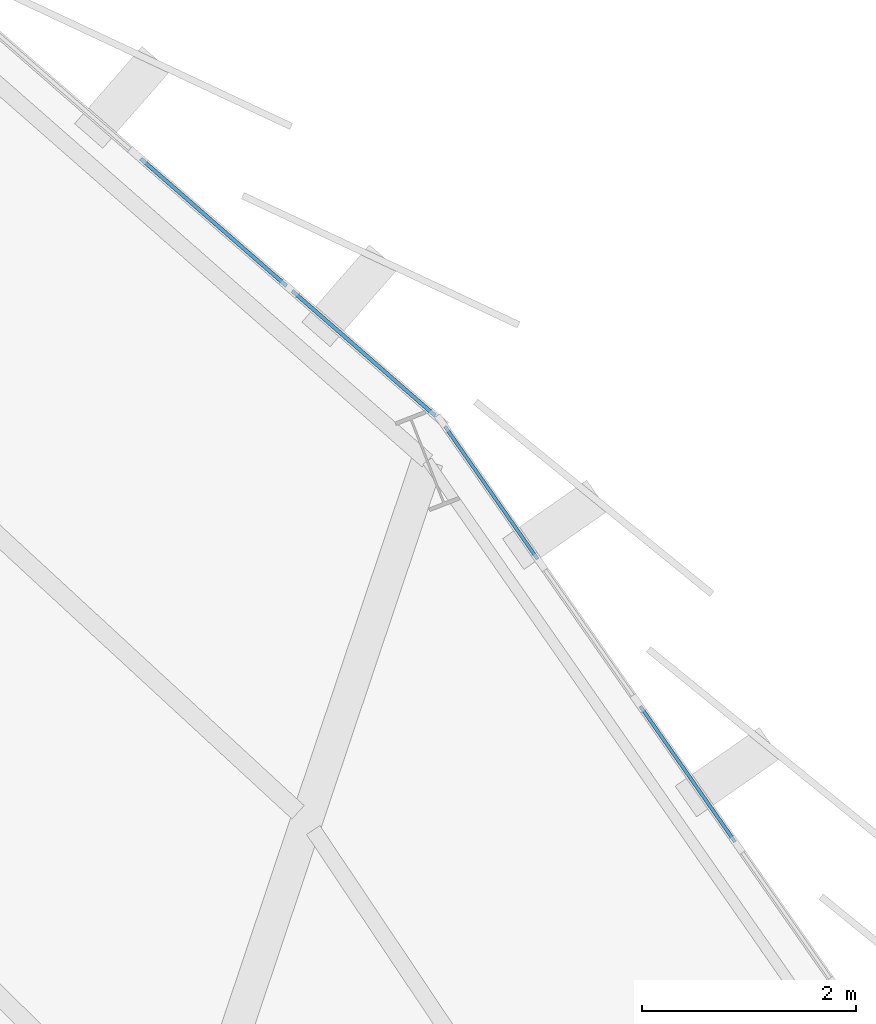
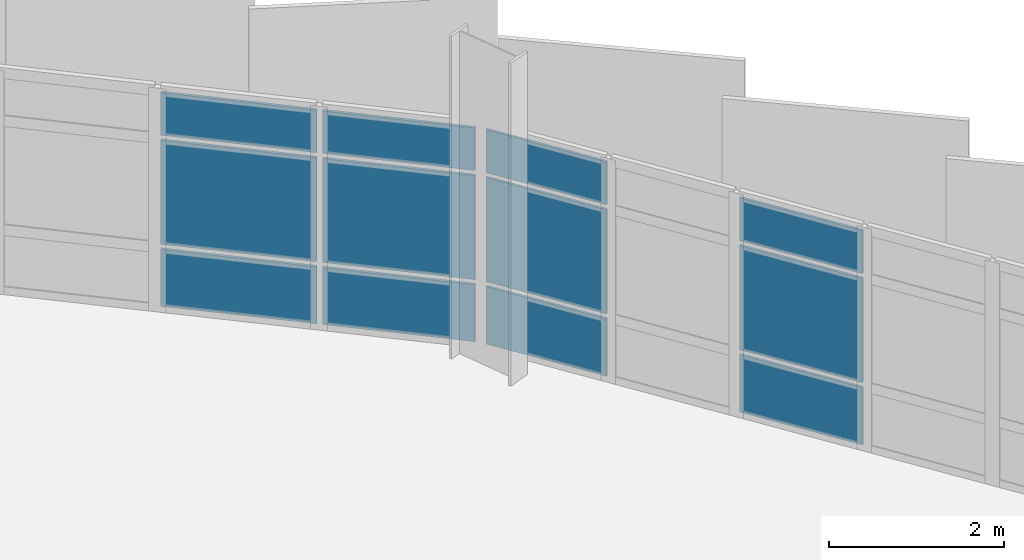
# One storey, part 97 of 125: 12 plates, 2 elements without a shape of their own.
"""IFC4 building model written with IfcOpenShell, lengths in metres."""

from ifc_helpers import new_model, si_unit, direction, frame, origin, origin_2d, place, context, subcontext, project, spatial, rectangle, extrude, material, layer, layer_set, type_object, element, aggregate, save


model = new_model("IFC4")

# Units and contexts
model_context = context("Model", 3, precision=1e-05, world=origin(), true_north=direction((0.0, 1.0)))
body_context = subcontext(model_context, "Body", "Model", "MODEL_VIEW")
ifc_project = project(units=[si_unit("LENGTHUNIT", "METRE"), si_unit("AREAUNIT", "SQUARE_METRE"), si_unit("VOLUMEUNIT", "CUBIC_METRE"), si_unit("PLANEANGLEUNIT", "RADIAN"), si_unit("MASSUNIT", "GRAM", prefix="KILO")], contexts=[model_context])

# Site, building, storey
site_placement = place(None, origin())
site = spatial("IfcSite", under=ifc_project, at=site_placement, CompositionType="ELEMENT")
building_placement = place(site_placement, origin())
building = spatial("IfcBuilding", under=site, at=building_placement, Name="Sohan Crest Arena", CompositionType="ELEMENT")
storey_placement = place(building_placement, frame((0.0, 0.0, 9.0)))
storey = spatial("IfcBuildingStorey", under=building, at=storey_placement, Name="L02", CompositionType="ELEMENT", Elevation=9.0)

# Curtain wall, plates
ifc_material_1 = material(Name="Thermally broken anodised aluminium", Category="aluminium")
ifc_layer_1 = layer(ifc_material_1, 0.199951171875, Name="Thermally broken anodised aluminium")
ifc_layer_set_1 = layer_set([ifc_layer_1], Name="Thermally broken anodised aluminium")
curtain_wall_type_1 = type_object("IfcCurtainWallType", Name="ARC-CW02", PredefinedType="NOTDEFINED", material=ifc_layer_set_1)
curtain_wall_1_placement = place(storey_placement, origin())
curtain_wall_1 = element("IfcCurtainWall", 1, at=curtain_wall_1_placement, inside=storey, type_object=curtain_wall_type_1, Name="Unitised curtain wall CW-071", PredefinedType="NOTDEFINED")
ifc_material_2 = material(Name="Low-E double-glazed insulated glass", Category="glass")
ifc_layer_2 = layer(ifc_material_2, 0.031982421875, Name="Low-E double-glazed insulated glass")
ifc_layer_set_2 = layer_set([ifc_layer_2], Name="Low-E double-glazed insulated glass")
plate_type_1 = type_object("IfcPlateType", Name="ARC-CNP02", PredefinedType="CURTAIN_PANEL", material=ifc_layer_set_2)
plate_1_placement = place(storey_placement, frame((178.8193359375, 105.715087890625, 0.06494140625), z_axis=(0.0, 0.0, 1.0), x_axis=(-0.572428059971, 0.819954947639, 0.0)))
plate_1 = element("IfcPlate", 2, at=plate_1_placement, type_object=plate_type_1, Name="CW-071 panel 5.1", PredefinedType="CURTAIN_PANEL", context=body_context, shape_type="SweptSolid", body=[
    extrude(rectangle(XDim=1.548583984375, YDim=0.031982421875, at=origin_2d()), origin(), (0.0, 0.0, 1.0), 0.802490234375),
])
plate_2_placement = place(storey_placement, frame((178.8193359375, 105.715087890625, 0.932373046875), z_axis=(0.0, 0.0, 1.0), x_axis=(-0.572428059971, 0.819954947639, 0.0)))
plate_2 = element("IfcPlate", 3, at=plate_2_placement, type_object=plate_type_1, Name="CW-071 panel 5.2", PredefinedType="CURTAIN_PANEL", context=body_context, shape_type="SweptSolid", body=[
    extrude(rectangle(XDim=1.548583984375, YDim=0.031982421875, at=origin_2d()), origin(), (0.0, 0.0, 1.0), 1.455078125),
])
plate_3_placement = place(storey_placement, frame((178.8193359375, 105.715087890625, 2.452392578125), z_axis=(0.0, 0.0, 1.0), x_axis=(-0.572428059971, 0.819954947639, 0.0)))
plate_3 = element("IfcPlate", 4, at=plate_3_placement, type_object=plate_type_1, Name="CW-071 panel 5.3", PredefinedType="CURTAIN_PANEL", context=body_context, shape_type="SweptSolid", body=[
    extrude(rectangle(XDim=1.548583984375, YDim=0.031982421875, at=origin_2d()), origin(), (0.0, 0.0, 1.0), 0.6025390625),
])
plate_4_placement = place(storey_placement, frame((176.981201171875, 108.34814453125, 0.06494140625), z_axis=(0.0, 0.0, 1.0), x_axis=(-0.572428059971, 0.819954947639, 0.0)))
plate_4 = element("IfcPlate", 5, at=plate_4_placement, type_object=plate_type_1, Name="CW-071 panel 7.1", PredefinedType="CURTAIN_PANEL", context=body_context, shape_type="SweptSolid", body=[
    extrude(rectangle(XDim=1.51611328125, YDim=0.031982421875, at=origin_2d()), origin(), (0.0, 0.0, 1.0), 0.802490234375),
])
plate_5_placement = place(storey_placement, frame((176.981201171875, 108.34814453125, 0.932373046875), z_axis=(0.0, 0.0, 1.0), x_axis=(-0.572428059971, 0.819954947639, 0.0)))
plate_5 = element("IfcPlate", 6, at=plate_5_placement, type_object=plate_type_1, Name="CW-071 panel 7.2", PredefinedType="CURTAIN_PANEL", context=body_context, shape_type="SweptSolid", body=[
    extrude(rectangle(XDim=1.51611328125, YDim=0.031982421875, at=origin_2d()), origin(), (0.0, 0.0, 1.0), 1.455078125),
])
plate_6_placement = place(storey_placement, frame((176.981201171875, 108.34814453125, 2.452392578125), z_axis=(0.0, 0.0, 1.0), x_axis=(-0.572428059971, 0.819954947639, 0.0)))
plate_6 = element("IfcPlate", 7, at=plate_6_placement, type_object=plate_type_1, Name="CW-071 panel 7.3", PredefinedType="CURTAIN_PANEL", context=body_context, shape_type="SweptSolid", body=[
    extrude(rectangle(XDim=1.51611328125, YDim=0.031982421875, at=origin_2d()), origin(), (0.0, 0.0, 1.0), 0.6025390625),
])
aggregate(curtain_wall_1, [plate_1, plate_2, plate_3, plate_4, plate_5, plate_6])

ifc_layer_3 = layer(ifc_material_1, 0.219970703125, Name="Thermally broken anodised aluminium")
ifc_layer_set_3 = layer_set([ifc_layer_3], Name="Thermally broken anodised aluminium")
curtain_wall_type_2 = type_object("IfcCurtainWallType", Name="ARC-CW03", PredefinedType="NOTDEFINED", material=ifc_layer_set_3)
curtain_wall_2_placement = place(storey_placement, origin())
curtain_wall_2 = element("IfcCurtainWall", 8, at=curtain_wall_2_placement, inside=storey, type_object=curtain_wall_type_2, Name="Unitised curtain wall CW-072", PredefinedType="NOTDEFINED")
ifc_material_3 = material(Name="Ceramic-fritted solar-control insulated glass", Category="glass")
ifc_layer_4 = layer(ifc_material_3, 0.035888671875, Name="Ceramic-fritted solar-control insulated glass")
ifc_layer_set_4 = layer_set([ifc_layer_4], Name="Ceramic-fritted solar-control insulated glass")
plate_type_2 = type_object("IfcPlateType", Name="ARC-CNP03", PredefinedType="CURTAIN_PANEL", material=ifc_layer_set_4)
plate_7_placement = place(storey_placement, frame((175.78759765625, 109.6533203125, 0.070068359375), z_axis=(0.0, 0.0, 1.0), x_axis=(-0.753420670265, 0.657538815294, 0.0)))
plate_7 = element("IfcPlate", 9, at=plate_7_placement, type_object=plate_type_2, Name="CW-072 panel 1.1", PredefinedType="CURTAIN_PANEL", context=body_context, shape_type="SweptSolid", body=[
    extrude(rectangle(XDim=1.777587890625, YDim=0.035888671875, at=origin_2d()), origin(), (0.0, 0.0, 1.0), 0.794921875),
])
plate_8_placement = place(storey_placement, frame((175.78759765625, 109.6533203125, 0.93505859375), z_axis=(0.0, 0.0, 1.0), x_axis=(-0.753420670265, 0.657538815294, 0.0)))
plate_8 = element("IfcPlate", 10, at=plate_8_placement, type_object=plate_type_2, Name="CW-072 panel 1.2", PredefinedType="CURTAIN_PANEL", context=body_context, shape_type="SweptSolid", body=[
    extrude(rectangle(XDim=1.777587890625, YDim=0.035888671875, at=origin_2d()), origin(), (0.0, 0.0, 1.0), 1.449951171875),
])
plate_9_placement = place(storey_placement, frame((175.78759765625, 109.6533203125, 2.455078125), z_axis=(0.0, 0.0, 1.0), x_axis=(-0.753420670265, 0.657538815294, 0.0)))
plate_9 = element("IfcPlate", 11, at=plate_9_placement, type_object=plate_type_2, Name="CW-072 panel 1.3", PredefinedType="CURTAIN_PANEL", context=body_context, shape_type="SweptSolid", body=[
    extrude(rectangle(XDim=1.777587890625, YDim=0.035888671875, at=origin_2d()), origin(), (0.0, 0.0, 1.0), 0.594970703125),
])
plate_10_placement = place(storey_placement, frame((174.382568359375, 110.879638671875, 0.070068359375), z_axis=(0.0, 0.0, 1.0), x_axis=(-0.753420670265, 0.657538815294, 0.0)))
plate_10 = element("IfcPlate", 12, at=plate_10_placement, type_object=plate_type_2, Name="CW-072 panel 2.1", PredefinedType="CURTAIN_PANEL", context=body_context, shape_type="SweptSolid", body=[
    extrude(rectangle(XDim=1.8125, YDim=0.035888671875, at=origin_2d()), origin(), (0.0, 0.0, 1.0), 0.794921875),
])
plate_11_placement = place(storey_placement, frame((174.382568359375, 110.879638671875, 0.93505859375), z_axis=(0.0, 0.0, 1.0), x_axis=(-0.753420670265, 0.657538815294, 0.0)))
plate_11 = element("IfcPlate", 13, at=plate_11_placement, type_object=plate_type_2, Name="CW-072 panel 2.2", PredefinedType="CURTAIN_PANEL", context=body_context, shape_type="SweptSolid", body=[
    extrude(rectangle(XDim=1.8125, YDim=0.035888671875, at=origin_2d()), origin(), (0.0, 0.0, 1.0), 1.449951171875),
])
plate_12_placement = place(storey_placement, frame((174.382568359375, 110.879638671875, 2.455078125), z_axis=(0.0, 0.0, 1.0), x_axis=(-0.753420670265, 0.657538815294, 0.0)))
plate_12 = element("IfcPlate", 14, at=plate_12_placement, type_object=plate_type_2, Name="CW-072 panel 2.3", PredefinedType="CURTAIN_PANEL", context=body_context, shape_type="SweptSolid", body=[
    extrude(rectangle(XDim=1.8125, YDim=0.035888671875, at=origin_2d()), origin(), (0.0, 0.0, 1.0), 0.594970703125),
])
aggregate(curtain_wall_2, [plate_7, plate_8, plate_9, plate_10, plate_11, plate_12])

save(model, "model.ifc")
